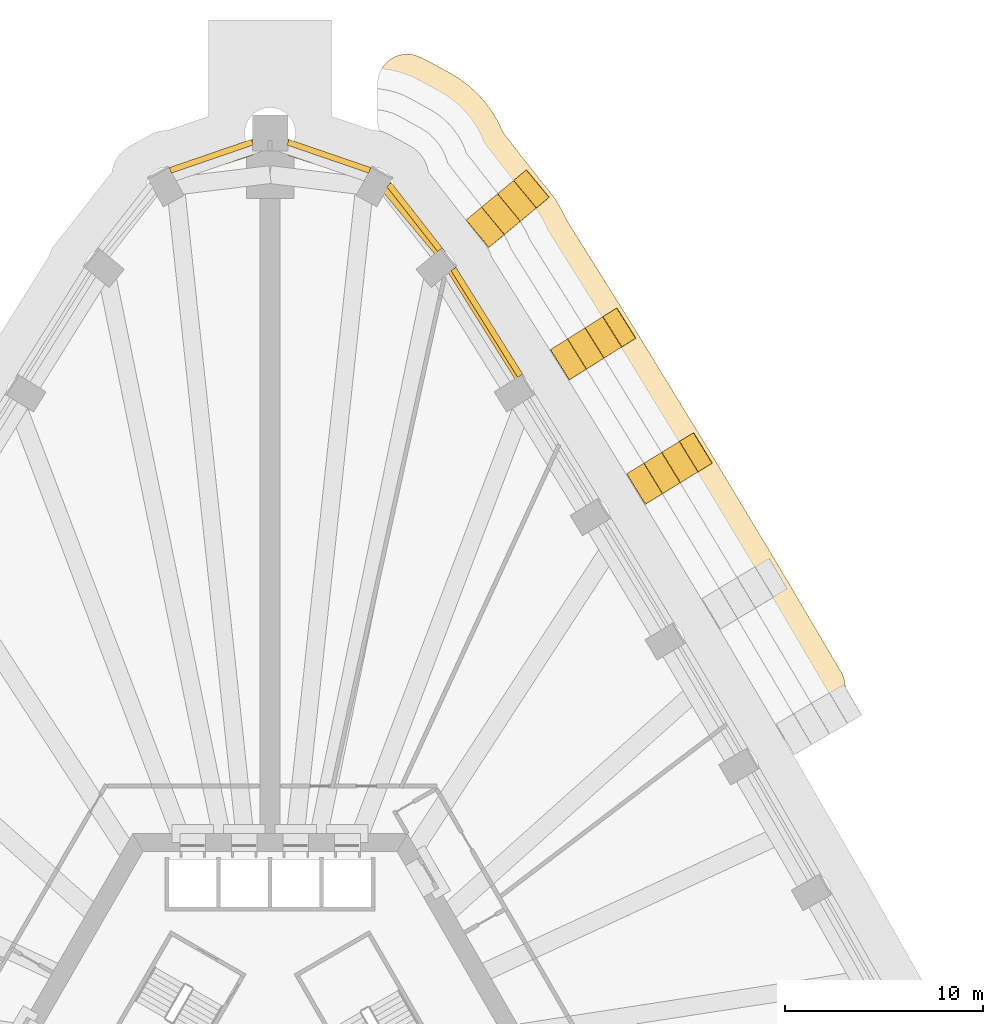
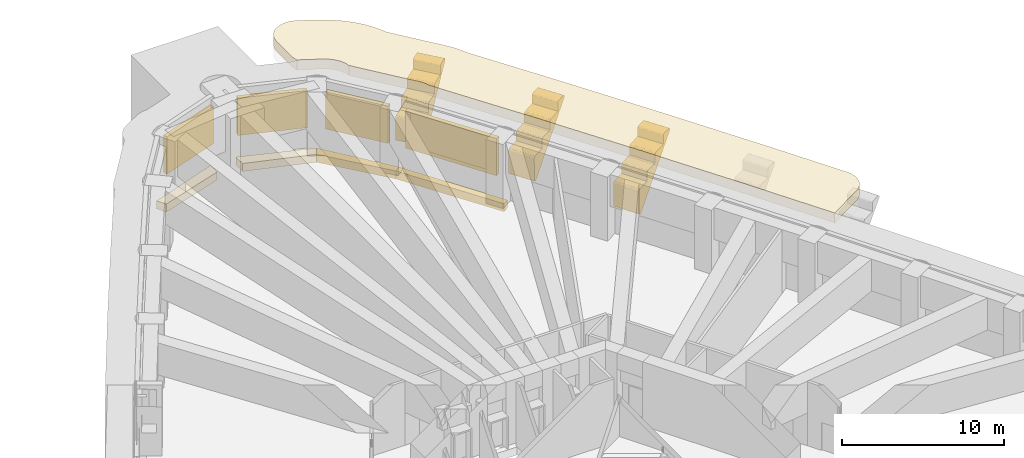
# One storey, part 21 of 21: 8 coverings, 4 shading devices.
"""IFC4 building model written with IfcOpenShell, lengths in metres."""

from ifc_helpers import new_model, si_unit, direction, frame, origin, origin_2d, place, context, subcontext, project, spatial, polyline, rectangle, outline, extrude, material, layer, layer_set, type_object, element, save


model = new_model("IFC4")

# Units and contexts
model_context = context("Model", 3, precision=1e-05, world=origin(), true_north=direction((0.0, 1.0)))
body_context = subcontext(model_context, "Body", "Model", "MODEL_VIEW")
ifc_project = project(units=[si_unit("LENGTHUNIT", "METRE"), si_unit("AREAUNIT", "SQUARE_METRE"), si_unit("VOLUMEUNIT", "CUBIC_METRE"), si_unit("PLANEANGLEUNIT", "RADIAN"), si_unit("MASSUNIT", "GRAM", prefix="KILO")], contexts=[model_context])

# Site, building, storey
site_placement = place(None, origin())
site = spatial("IfcSite", under=ifc_project, at=site_placement, CompositionType="ELEMENT")
building_placement = place(site_placement, origin())
building = spatial("IfcBuilding", under=site, at=building_placement, Name="Entoto Arch Interchange Tower", CompositionType="ELEMENT")
storey_placement = place(building_placement, frame((0.0, 0.0, 81.199951171875)))
storey = spatial("IfcBuildingStorey", under=building, at=storey_placement, Name="L17", CompositionType="ELEMENT", Elevation=81.199951171875)

# Shading devices
ifc_material_1 = material(Name="Aluminium, anodised", Category="aluminium")
ifc_layer = layer(ifc_material_1, 0.300048828125)
ifc_layer_set = layer_set([ifc_layer], Name="Aluminium, anodised")
shading_device_type = type_object("IfcShadingDeviceType", Name="PLANT LOUVRE ALUMINIUM", PredefinedType="JALOUSIE", material=ifc_layer_set)
shading_device_1_placement = place(storey_placement, frame((10.93603515625, 40.2958984375, 1.2001953125), z_axis=(0.0, 0.0, 1.0), x_axis=(-0.530422412772, 0.847733486438, 0.0)))
element("IfcShadingDevice", 1, at=shading_device_1_placement, inside=storey, type_object=shading_device_type, Name="Plant louvre NE-09 L17", PredefinedType="JALOUSIE", context=body_context, shape_type="SweptSolid", body=[
    extrude(rectangle(XDim=6.343994140625, YDim=0.300048828125, at=origin_2d()), origin(), (0.0, 0.0, 1.0), 2.800048828125),
])
shading_device_2_placement = place(storey_placement, frame((7.282958984375, 45.60693359375, 1.2001953125), z_axis=(0.0, 0.0, 1.0), x_axis=(-0.616568789885, 0.787301039844, 0.0)))
element("IfcShadingDevice", 2, at=shading_device_2_placement, inside=storey, type_object=shading_device_type, Name="Plant louvre N-01 L17", PredefinedType="JALOUSIE", context=body_context, shape_type="SweptSolid", body=[
    extrude(rectangle(XDim=4.158935546875, YDim=0.300048828125, at=origin_2d()), origin(), (0.0, 0.0, 1.0), 2.800048828125),
])
for number, where, z_axis, x_axis, name in (
    (3, (2.965087890625, 48.675048828125, 1.2001953125), (0.0, 0.0, 1.0), (-0.945756975465, 0.324874965732, 0.0), "Plant louvre N-02 L17"),
    (4, (-2.965087890625, 48.675048828125, 1.2001953125), (0.0, 0.0, 1.0), (-0.945756975465, -0.324874965732, 0.0), "Plant louvre N-03 L17"),
):
    element("IfcShadingDevice", number, at=place(storey_placement, frame(where, z_axis=z_axis, x_axis=x_axis)), inside=storey, type_object=shading_device_type, Name=name, PredefinedType="JALOUSIE", context=body_context, shape_type="SweptSolid", body=[
        extrude(rectangle(XDim=4.367919921875, YDim=0.300048828125, at=origin_2d()), origin(), (0.0, 0.0, 1.0), 2.800048828125),
    ])

# Coverings
ifc_material_2 = material(Name="Board-marked precast concrete C50/60", Category="concrete")
covering_type_1 = type_object("IfcCoveringType", Name="PRECAST FRAME COURSE", PredefinedType="CLADDING", material=ifc_material_2)
covering_1_placement = place(storey_placement, frame((0.0, 0.0, 4.050048828125)))
element("IfcCovering", 5, at=covering_1_placement, inside=storey, type_object=covering_type_1, Name="Cantilever cornice ne-L17 1", PredefinedType="CLADDING", context=body_context, shape_type="SweptSolid", body=[
    extrude(outline(polyline([(5.47705078125, 50.072021484375), (5.444091796875, 50.2119140625), (5.423095703125, 50.35400390625), (5.416015625, 50.4970703125), (5.416015625, 52.326904296875), (5.423095703125, 52.470947265625), (5.444091796875, 52.614013671875), (5.47802734375, 52.75390625), (5.52587890625, 52.89111328125), (5.5869140625, 53.02197265625), (5.659912109375, 53.14599609375), (5.743896484375, 53.262939453125), (5.840087890625, 53.3720703125), (5.945068359375, 53.469970703125), (6.06005859375, 53.55810546875), (6.181884765625, 53.635009765625), (6.31103515625, 53.699951171875), (6.446044921875, 53.7509765625), (6.5849609375, 53.7900390625), (6.72802734375, 53.81494140625), (6.8720703125, 53.825927734375), (7.01611328125, 53.823974609375), (7.159912109375, 53.806884765625), (7.301025390625, 53.777099609375), (7.43798828125, 53.73291015625), (7.571044921875, 53.676025390625), (8.0009765625, 53.468017578125), (8.06591796875, 53.43408203125), (8.93701171875, 52.95703125), (9.053955078125, 52.89306640625), (9.117919921875, 52.85595703125), (9.52490234375, 52.60595703125), (9.64697265625, 52.52294921875), (9.964111328125, 52.282958984375), (9.9990234375, 52.256103515625), (10.112060546875, 52.162109375), (10.43603515625, 51.862060546875), (10.5390625, 51.757080078125), (10.83203125, 51.427001953125), (10.924072265625, 51.31201171875), (11.18310546875, 50.955078125), (11.263916015625, 50.83203125), (11.487060546875, 50.450927734375), (11.554931640625, 50.320068359375), (11.757080078125, 49.882080078125), (11.77099609375, 49.85205078125), (11.77099609375, 49.85205078125), (11.7958984375, 49.819091796875), (12.886962890625, 48.426025390625), (13.718017578125, 47.364990234375), (13.72412109375, 47.35693359375), (13.72998046875, 47.34912109375), (14.031005859375, 46.986083984375), (14.076904296875, 46.927978515625), (14.1640625, 46.81201171875), (14.363037109375, 46.544921875), (14.445068359375, 46.423095703125), (14.674072265625, 46.0458984375), (14.743896484375, 45.916015625), (14.779052734375, 45.842041015625), (14.946044921875, 45.493896484375), (14.966064453125, 45.450927734375), (14.967041015625, 45.448974609375), (14.990966796875, 45.410888671875), (16.02001953125, 43.76611328125), (17.8310546875, 40.873046875), (18.468017578125, 39.85400390625), (18.471923828125, 39.846923828125), (18.498046875, 39.804931640625), (18.501953125, 39.799072265625), (21.68505859375, 34.596923828125), (21.695068359375, 34.5810546875), (21.700927734375, 34.572021484375), (21.712890625, 34.552978515625), (21.76708984375, 34.464111328125), (22.3291015625, 33.5458984375), (22.33203125, 33.541015625), (22.35400390625, 33.5048828125), (22.35693359375, 33.5), (25.491943359375, 28.278076171875), (25.5009765625, 28.261962890625), (25.510009765625, 28.248046875), (25.51708984375, 28.237060546875), (25.537109375, 28.2041015625), (26.134033203125, 27.2060546875), (26.136962890625, 27.201904296875), (26.155029296875, 27.169921875), (26.157958984375, 27.166015625), (27.0048828125, 25.72509765625), (28.818115234375, 22.64404296875), (28.885986328125, 22.512939453125), (28.94189453125, 22.3759765625), (28.98291015625, 22.235107421875), (29.010986328125, 22.090087890625), (29.02392578125, 21.943115234375), (29.02197265625, 21.7958984375), (29.007080078125, 21.64892578125), (28.97607421875, 21.5048828125), (28.931884765625, 21.364013671875), (28.8740234375, 21.22802734375), (28.802978515625, 21.09912109375), (28.719970703125, 20.97705078125), (28.625, 20.864013671875), (28.52001953125, 20.760986328125), (28.405029296875, 20.6689453125), (28.281005859375, 20.587890625), (26.049072265625, 19.283935546875), (25.986083984375, 19.2470703125), (25.9541015625, 19.22900390625), (25.652099609375, 19.7470703125), (25.625, 19.7880859375), (22.535888671875, 25.0390625), (22.530029296875, 25.049072265625), (21.9140625, 26.0791015625), (21.89501953125, 26.10791015625), (18.75390625, 31.341064453125), (18.7470703125, 31.35302734375), (18.12109375, 32.376953125), (18.111083984375, 32.39111328125), (14.9169921875, 37.610107421875), (14.907958984375, 37.6240234375), (14.27197265625, 38.64208984375), (14.26904296875, 38.64599609375), (11.16796875, 43.60302734375), (11.153076171875, 43.662109375), (11.093017578125, 43.827880859375), (11.01611328125, 43.987060546875), (10.925048828125, 44.137939453125), (10.819091796875, 44.280029296875), (10.451904296875, 44.722900390625), (7.98291015625, 47.876953125), (7.972900390625, 47.946044921875), (7.931884765625, 48.117919921875), (7.8740234375, 48.284912109375), (7.800048828125, 48.445068359375), (7.7109375, 48.597900390625), (7.60693359375, 48.739990234375), (7.489990234375, 48.873046875), (7.360107421875, 48.992919921875), (7.218994140625, 49.09912109375), (7.069091796875, 49.19189453125), (6.01611328125, 49.76806640625), (5.85693359375, 49.844970703125), (5.69189453125, 49.906005859375), (5.52099609375, 49.950927734375), (5.48388671875, 49.95703125), (5.51806640625, 49.952880859375), (5.514892578125, 49.964111328125), (5.47705078125, 50.072021484375)])), origin(), (0.0, 0.0, 1.0), 0.75),
])
covering_2_placement = place(storey_placement, frame((19.14990234375, 31.248046875, -0.072021484375), z_axis=(0.521662530336, -0.853146952243, 0.00291244255), x_axis=(-0.669329981561, -0.411378416567, -0.618680187307)))
element("IfcCovering", 6, at=covering_2_placement, inside=storey, type_object=covering_type_1, Name="Fold rib NE08 L17", PredefinedType="CLADDING", context=body_context, shape_type="SweptSolid", body=[
    extrude(outline(polyline([(0.0, 0.0), (0.04498909072160164, 3.469446951953614e-18), (0.0877801731088189, -0.01319129614985589), (0.12492732257042347, -0.03871318986672004), (0.1524485620789931, -0.0731284747795963), (0.1678927320340854, -0.11449980995018261), (0.17216843301035947, -0.14459363817797524), (0.16637315717299025, -0.18850548207986265), (0.14889949952540688, -0.22943838949249484), (-0.8616904879098237, -1.5134929902349372), (-0.8938541760026419, -1.5441035403798513), (-0.919177642354972, -1.5583404346888352), (-0.9473249760676026, -1.5669403937050586), (-0.9767633582716764, -1.570482984656827), (-1.0053039653861815, -1.5682086956000751), (-1.0347080048181792, -1.5602782639616735), (-1.0600206770684224, -1.5468714635402936), (-1.7555102947963475, -1.0004226709969886), (-2.1367960416615457, -1.4829555369564253), (-2.1595076606355996, -1.5020500369070449), (-2.1845792211627404, -1.516490281162667), (-2.2125631442353413, -1.525219396241444), (-2.2421649370794445, -1.5286328311306587), (-2.2860055609441536, -1.5233210314656374), (-2.312829470254452, -1.512450859251018), (-2.3380015277313326, -1.4963587498539863), (-3.0448620575735643, -0.939712948831156), (-3.4254941618786447, -1.4227624390408065), (-3.4482057808526987, -1.4418569389914264), (-3.4739309839399577, -1.4557805589968347), (-3.5019149070125586, -1.4645096740756114), (-3.530461320561615, -1.4687530075186155), (-3.5749555869864422, -1.4629245836033804), (-3.6020807988479375, -1.4518194556610793), (-3.626951553773621, -1.4359623019917294), (-4.334263283040482, -0.8777193782554162), (-4.7144441879209324, -1.3623659911785495), (-4.737457109446185, -1.3812255354014873), (-4.762881009982246, -1.3953841111345773), (-4.79021129049473, -1.4046298504635684), (-4.819813083338833, -1.4080432853527831), (-4.863653707203541, -1.4027314856877617), (-4.903560634055667, -1.3840442960485895), (-5.348061911292751, -1.0352486130479108), (-5.36930758699593, -1.0147881144204032), (-5.386463830995538, -0.9910237878431696), (-5.39788423718255, -0.9643159134153572), (-5.404374214505005, -0.9362104833630678), (-5.40528133446065, -0.9075258523333747), (-5.400440972351593, -0.8780894459919724), (-5.390825523975802, -0.8514755343218514), (-5.3757160081648285, -0.8263958756373015), (-5.3560326351647465, -0.8049174796904421), (-5.331814437471017, -0.7882500010070941), (-5.305537600775397, -0.7760018222910618), (-5.2775922835244025, -0.7687991991487744), (-4.4704409604592, -0.652085699114157), (-4.441145128506673, -0.6534009579712929), (-4.411841523258408, -0.6612530710338005), (-4.385371102051202, -0.6733955477516114), (-4.361357941625456, -0.6923059538779357), (-4.342638795836759, -0.666028501991728), (-4.320832298574159, -0.646530865254924), (-4.295509258895682, -0.6319771335352724), (-4.25453350174792, -0.6198071757282269), (0.0, 0.0)])), origin(), (0.0, 0.0, -1.0), 1.800048828125),
])
covering_3_placement = place(storey_placement, frame((15.31201171875, 37.52294921875, -0.058837890625), z_axis=(0.530080195659, -0.847942834098, 0.002817139011), x_axis=(-0.673498853773, -0.42304272941, -0.606163462326)))
element("IfcCovering", 7, at=covering_3_placement, inside=storey, type_object=covering_type_1, Name="Fold rib NE09 L17", PredefinedType="CLADDING", context=body_context, shape_type="SweptSolid", body=[
    extrude(outline(polyline([(0.0, 0.0), (0.044707479547439845, -6.938893903907228e-18), (0.08728340001863429, -0.012189152600369124), (0.12441860492612472, -0.0368107162243262), (0.15163857374070494, -0.07136818001149592), (0.1653029202205708, -0.09805324732858821), (0.17348796061128083, -0.14204594461175557), (0.16828788839753372, -0.18596881674358617), (0.15115228804423148, -0.2269378808750322), (-0.8301697975283556, -1.5160474782696767), (-0.8618522015064267, -1.547157473100386), (-0.8873513370939368, -1.561488112281297), (-0.9151961120996872, -1.5706566277722986), (-0.9440808533954984, -1.575041918630498), (-0.9734182151786653, -1.5726352812653868), (-1.0020130241349754, -1.5658816992740647), (-1.0283571210933509, -1.5522473291905992), (-1.7324777792567552, -1.0168310961552482), (-2.105534212545251, -1.5057556785986974), (-2.127672870222307, -1.525410997759973), (-2.153172005809817, -1.5397416369408836), (-2.18035906709118, -1.5494132615474594), (-2.209901522111379, -1.5532954432900845), (-2.253821741621777, -1.5486763421681649), (-2.281222847859562, -1.5379229588913939), (-2.3066481703444763, -1.5222290947835784), (-3.0222998820897184, -0.976796536249249), (-3.395253033461854, -1.4657991015801048), (-3.4174949730552706, -1.4853764378539742), (-3.4429941086427807, -1.4997070770348846), (-3.4710033120796275, -1.5087498152469925), (-3.499723624944342, -1.5132608833840857), (-3.5436438444547402, -1.5086417822621656), (-3.571106097207262, -1.4978406045939074), (-3.596057145512, -1.4825064664272047), (-4.313009884296376, -0.9348532863999974), (-4.685319722353766, -1.425573364108157), (-4.706965094737531, -1.4456060151061132), (-4.732567512241401, -1.4598586713996173), (-4.760412287247151, -1.469027186890619), (-4.789297028542963, -1.4734124777488184), (-4.83321724805336, -1.4687933766268986), (-4.873821995475158, -1.450431734038188), (-5.322781885693699, -1.1094854622124695), (-5.344758751057904, -1.0890534486179835), (-5.361876165361952, -1.0658745216302643), (-5.374229695096515, -1.0389636633870225), (-5.381164731259418, -1.0109630271360146), (-5.38276811646247, -0.9821145808770297), (-5.378046595135132, -0.9528656199965844), (-5.367948751023329, -0.9255704242055227), (-5.352724313803135, -0.9006425059211525), (-5.333385052630121, -0.8788539963139033), (-5.310109796345029, -0.861293521366612), (-5.284028493957509, -0.8486326001715181), (-5.256280351269735, -0.8421524650993342), (-4.453262070558786, -0.7134654612359836), (-4.424093747910189, -0.7145143121649036), (-4.395365350236975, -0.722288123809653), (-4.3680464759075255, -0.734515484243512), (-4.341494344520743, -0.7547506049843391), (-4.321358033604518, -0.7258965818361429), (-4.299921796862035, -0.7060103100550017), (-4.274932385872369, -0.6909823881502142), (-4.234051872218729, -0.6782434840677141), (0.0, 0.0)])), origin(), (0.0, 0.0, -1.0), 1.800048828125),
])
covering_4_placement = place(storey_placement, frame((11.23291015625, 44.23291015625, -0.031982421875), z_axis=(0.637714909384, -0.770267346664, 0.002812296544), x_axis=(-0.612066886492, -0.508948438712, -0.605264911583)))
element("IfcCovering", 8, at=covering_4_placement, inside=storey, type_object=covering_type_1, Name="Fold rib NE10 L17", PredefinedType="CLADDING", context=body_context, shape_type="SweptSolid", body=[
    extrude(outline(polyline([(0.0, 0.0), (0.04437198511403551, 3.469446951953614e-18), (0.08687119917612417, -0.01207436850986928), (0.12385401497194375, -0.036515007548714215), (0.15225788185508146, -0.07068484069912111), (0.16892445225143102, -0.11218981590079331), (0.172713881569317, -0.15647548343271517), (0.1682243201887274, -0.1858787985659489), (0.15122490774867775, -0.22693391002502766), (-0.8126706309974394, -1.4952506822272613), (-0.8322969450033942, -1.516518983242121), (-0.8556355812844624, -1.5340437527123532), (-0.8826444922280908, -1.546323143141839), (-0.9112651309376589, -1.5533926394708526), (-0.9414285751430433, -1.554379805772776), (-0.9703055726058138, -1.5499033723088493), (-0.9977013240443975, -1.5391926877798423), (-1.0226151856026884, -1.5239317767494567), (-1.7145867539547583, -0.9977791188084939), (-2.0873393371284372, -1.4869354728527218), (-2.109452334337445, -1.5066200516957555), (-2.1346898960831586, -1.521166712009909), (-2.1629798174355193, -1.5300195000327856), (-2.191986506222091, -1.534339454008737), (-2.235836068764825, -1.5298272003741882), (-2.2627583536244886, -1.5194793877448358), (-2.288269936751619, -1.5037617900822144), (-3.004626301537056, -0.9590700165539763), (-3.3772546297208152, -1.4483201853307854), (-3.399318898146773, -1.4680375081299681), (-3.424605188675536, -1.4825514244879727), (-3.452248659676008, -1.4918936430992338), (-3.4814047788547895, -1.4960994254171265), (-3.5253785963874433, -1.4914933570499964), (-3.552774347826027, -1.4807826725209892), (-3.5776882093843176, -1.4655217614906038), (-4.295649620765197, -0.917154685314161), (-4.310297586449831, -0.9425159674809169), (-4.667121193530144, -1.4097376417649978), (-4.689358445729071, -1.4293284058754505), (-4.7146211828770745, -1.4438547092641263), (-4.741666932308707, -1.4536536145076229), (-4.7712948960448776, -1.4575044948206677), (-4.815144458587611, -1.452992241186119), (-4.855168425323029, -1.435133597097212), (-5.304101576869606, -1.0950060946191589), (-5.325468964336591, -1.0750810089162348), (-5.342739147054326, -1.0518252882354906), (-5.355143157553156, -1.0249125808792598), (-5.361875112641675, -0.997098105085084), (-5.363188504214939, -0.9672686945795554), (-5.359290021849567, -0.9386427418917447), (-5.348665129519512, -0.911757326094083), (-5.333867733442668, -0.8865102155853859), (-5.3145906696425875, -0.8646723150288445), (-5.291376288351439, -0.8470537308260311), (-5.264988613740535, -0.8346058091082464), (-5.2369892499805655, -0.8270672391163263), (-4.438686087001669, -0.7016643617374387), (-4.409798859882258, -0.7033845417021105), (-4.381009278921404, -0.7102476456194453), (-4.352985609979599, -0.7226614528890178), (-4.322522741781175, -0.7470510319989949), (-4.299389886239398, -0.7131131770964259), (-4.278071109136084, -0.693133508276363), (-4.252536347244356, -0.6785066790089127), (-4.21108204849795, -0.6649419560860017), (0.0, 0.0)])), origin(), (0.0, 0.0, -1.0), 1.800048828125),
])
covering_type_2 = type_object("IfcCoveringType", Name="PRECAST LEDGE COURSE", PredefinedType="CLADDING", material=ifc_material_2)
covering_5_placement = place(storey_placement, frame((0.0, 0.0, -1.199951171875)))
element("IfcCovering", 9, at=covering_5_placement, inside=storey, type_object=covering_type_2, Name="Precast course NE-09 L17", PredefinedType="CLADDING", context=body_context, shape_type="SweptSolid", body=[
    extrude(outline(polyline([(8.68408203125, 43.2919921875), (9.050048828125, 43.593994140625), (13.06396484375, 37.178955078125), (12.672119140625, 36.93408203125), (8.68408203125, 43.2919921875)])), origin(), (0.0, 0.0, 1.0), 0.60009765625),
])
covering_6_placement = place(storey_placement, frame((0.0, 0.0, -1.199951171875)))
element("IfcCovering", 10, at=covering_6_placement, inside=storey, type_object=covering_type_2, Name="Precast course N-01 L17", PredefinedType="CLADDING", context=body_context, shape_type="SweptSolid", body=[
    extrude(outline(polyline([(5.345947265625, 47.2939453125), (5.677978515625, 47.90087890625), (9.050048828125, 43.593994140625), (8.68408203125, 43.2919921875), (5.345947265625, 47.2939453125)])), origin(), (0.0, 0.0, 1.0), 0.60009765625),
])
covering_7_placement = place(storey_placement, frame((0.0, 0.0, -1.199951171875)))
element("IfcCovering", 11, at=covering_7_placement, inside=storey, type_object=covering_type_2, Name="Precast course N-02 L17", PredefinedType="CLADDING", context=body_context, shape_type="SweptSolid", body=[
    extrude(outline(polyline([(0.89990234375, 48.718994140625), (0.89990234375, 49.54296875), (5.677978515625, 47.90087890625), (5.345947265625, 47.2939453125), (0.89990234375, 48.718994140625)])), origin(), (0.0, 0.0, 1.0), 0.60009765625),
])
covering_8_placement = place(storey_placement, frame((0.0, 0.0, -1.199951171875)))
element("IfcCovering", 12, at=covering_8_placement, inside=storey, type_object=covering_type_2, Name="Precast course N-03 L17", PredefinedType="CLADDING", context=body_context, shape_type="SweptSolid", body=[
    extrude(outline(polyline([(-5.345947265625, 47.2939453125), (-5.677978515625, 47.90087890625), (-0.89990234375, 49.54296875), (-0.89990234375, 48.718994140625), (-5.345947265625, 47.2939453125)])), origin(), (0.0, 0.0, 1.0), 0.60009765625),
])

save(model, "model.ifc")
